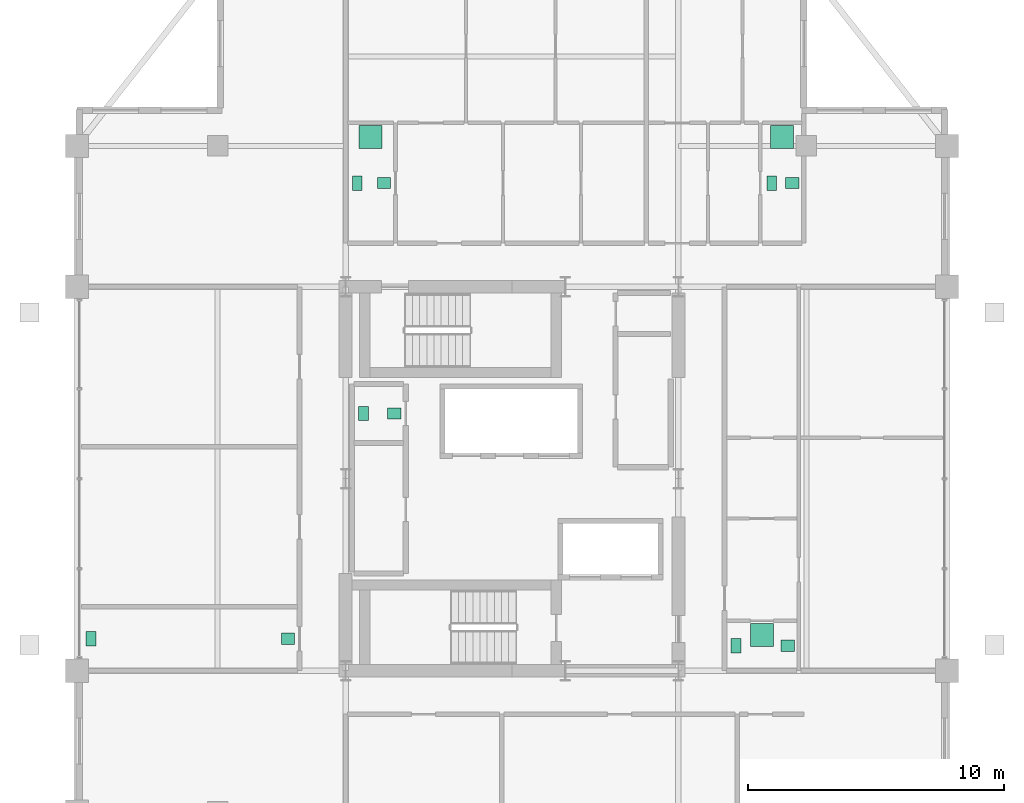
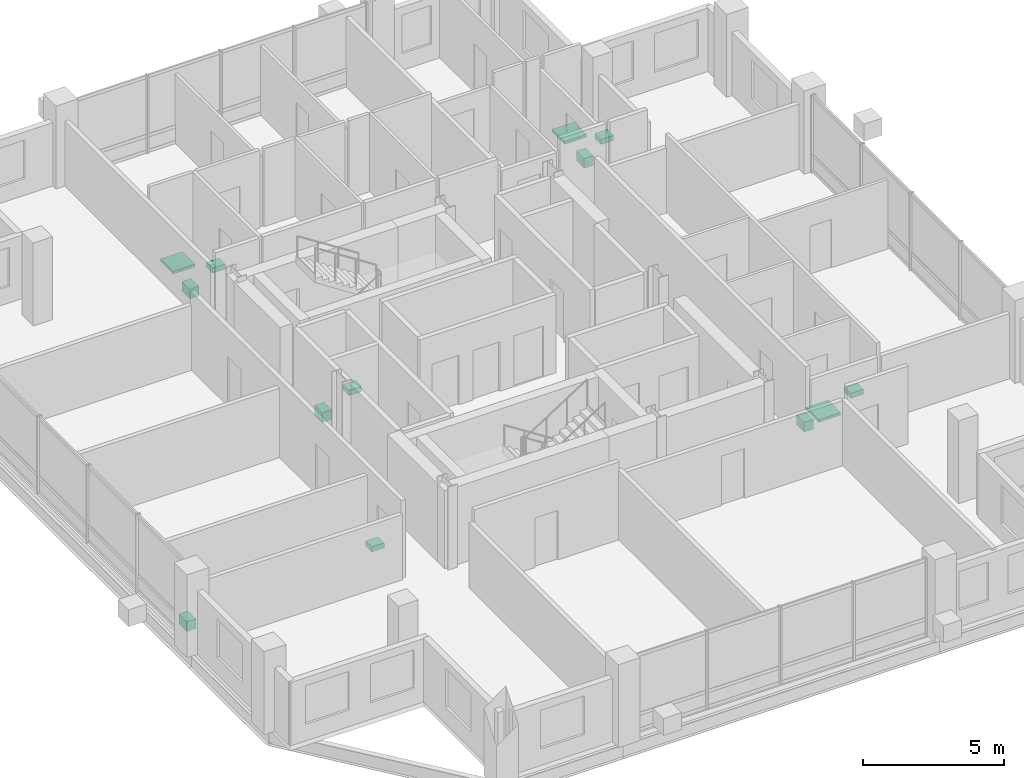
# One storey, part 21 of 21: 13 sanitary terminals.
"""IFC4 building model written with IfcOpenShell, lengths in metres."""

from ifc_helpers import new_model, si_unit, direction, frame, origin, origin_2d, place, context, subcontext, project, spatial, rectangle, extrude, material, type_object, element, save


model = new_model("IFC4")

# Units and contexts
model_context = context("Model", 3, precision=1e-05, world=origin(), true_north=direction((0.0, 1.0)))
body_context = subcontext(model_context, "Body", "Model", "MODEL_VIEW")
ifc_project = project(units=[si_unit("LENGTHUNIT", "METRE"), si_unit("AREAUNIT", "SQUARE_METRE"), si_unit("VOLUMEUNIT", "CUBIC_METRE"), si_unit("PLANEANGLEUNIT", "RADIAN"), si_unit("MASSUNIT", "GRAM", prefix="KILO")], contexts=[model_context])

# Site, building, storey
site_placement = place(None, origin())
site = spatial("IfcSite", under=ifc_project, at=site_placement, CompositionType="ELEMENT")
building_placement = place(site_placement, origin())
building = spatial("IfcBuilding", under=site, at=building_placement, Name="Barlavira Tower and Art Museum", CompositionType="ELEMENT")
storey_placement = place(building_placement, frame((0.0, 0.0, 276.300048828125)))
storey = spatial("IfcBuildingStorey", under=building, at=storey_placement, Name="L72", CompositionType="ELEMENT", Elevation=276.300048828125)

# Sanitary terminals
ifc_material = material(Name="Vitreous glazed ceramic", Category="ceramic")
sanitary_terminal_type_1 = type_object("IfcSanitaryTerminalType", Name="Countertop Ceramic Wash Hand Basin", PredefinedType="WASHHANDBASIN", material=ifc_material)
for number, where, z_axis, x_axis, name in (
    (1, (-4.60009765625, 2.550048828125, 0.73974609375), (0.0, 0.0, 1.0), (1.0, 0.0, 0.0), "L72-C-REC1W Wash Basin"),
    (2, (-5.0, 11.550048828125, 0.73974609375), (0.0, 0.0, 1.0), (1.0, 0.0, 0.0), "L72-N1-BTH1 Wash Basin"),
    (3, (10.949951171875, 11.550048828125, 0.73974609375), (0.0, 0.0, 1.0), (1.0, 0.0, 0.0), "L72-N2-BTH1 Wash Basin"),
    (4, (-8.75, -6.25, 0.73974609375), (0.0, 0.0, 1.0), (1.0, 0.0, 0.0), "L72-W-SWC Wash Basin"),
    (5, (10.77001953125, -6.52490234375, 0.73974609375), (0.0, 0.0, 1.0), (1.0, 0.0, 0.0), "L72-E1-BTH1 Wash Basin"),
):
    element("IfcSanitaryTerminal", number, at=place(storey_placement, frame(where, z_axis=z_axis, x_axis=x_axis)), inside=storey, type_object=sanitary_terminal_type_1, Name=name, PredefinedType="WASHHANDBASIN", context=body_context, shape_type="SweptSolid", body=[
        extrude(rectangle(XDim=0.52001953125, YDim=0.43994140625, at=origin_2d()), origin(), (0.0, 0.0, 1.0), 0.219970703125),
    ])
sanitary_terminal_type_2 = type_object("IfcSanitaryTerminalType", Name="Walk-In Thermostatic Rain Shower Unit", PredefinedType="SHOWER", material=ifc_material)
for number, where, z_axis, x_axis, name in (
    (6, (-5.52490234375, 13.35009765625, 0.0), (0.0, 0.0, 1.0), (1.0, 0.0, 0.0), "L72-N1-BTH1 Rain Shower"),
    (7, (10.550048828125, 13.35009765625, 0.0), (0.0, 0.0, 1.0), (1.0, 0.0, 0.0), "L72-N2-BTH1 Rain Shower"),
    (8, (9.760009765625, -6.10009765625, 0.0), (0.0, 0.0, 1.0), (1.0, 0.0, 0.0), "L72-E1-BTH1 Rain Shower"),
):
    element("IfcSanitaryTerminal", number, at=place(storey_placement, frame(where, z_axis=z_axis, x_axis=x_axis)), inside=storey, type_object=sanitary_terminal_type_2, Name=name, PredefinedType="SHOWER", context=body_context, shape_type="SweptSolid", body=[
        extrude(rectangle(XDim=0.89990234375, YDim=0.89990234375, at=origin_2d()), origin(), (0.0, 0.0, 1.0), 0.1201171875),
    ])
sanitary_terminal_type_3 = type_object("IfcSanitaryTerminalType", Name="Wall-Hung Dual-Flush Vitreous WC Pan", PredefinedType="TOILETPAN", material=ifc_material)
for number, where, z_axis, x_axis, name in (
    (9, (-5.800048828125, 2.550048828125, 0.0), (0.0, 0.0, 1.0), (1.0, 0.0, 0.0), "L72-C-REC1W WC Pan"),
    (10, (-6.050048828125, 11.550048828125, 0.0), (0.0, 0.0, 1.0), (1.0, 0.0, 0.0), "L72-N1-BTH1 WC Pan"),
    (11, (10.14990234375, 11.550048828125, 0.0), (0.0, 0.0, 1.0), (1.0, 0.0, 0.0), "L72-N2-BTH1 WC Pan"),
    (12, (-16.449951171875, -6.25, 0.0), (0.0, 0.0, 1.0), (1.0, 0.0, 0.0), "L72-W-SWC WC Pan"),
    (13, (8.75, -6.52490234375, 0.0), (0.0, 0.0, 1.0), (1.0, 0.0, 0.0), "L72-E1-BTH1 WC Pan"),
):
    element("IfcSanitaryTerminal", number, at=place(storey_placement, frame(where, z_axis=z_axis, x_axis=x_axis)), inside=storey, type_object=sanitary_terminal_type_3, Name=name, PredefinedType="TOILETPAN", context=body_context, shape_type="SweptSolid", body=[
        extrude(rectangle(XDim=0.3798828125, YDim=0.56005859375, at=origin_2d()), origin(), (0.0, 0.0, 1.0), 0.419921875),
    ])

save(model, "model.ifc")
